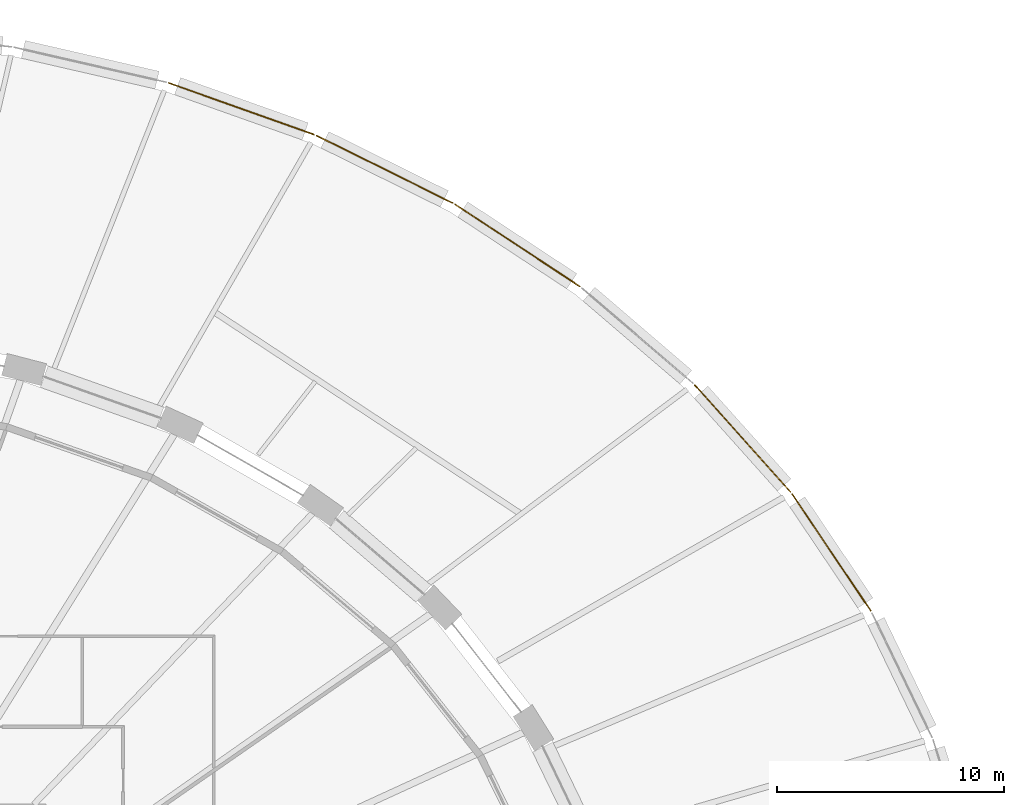
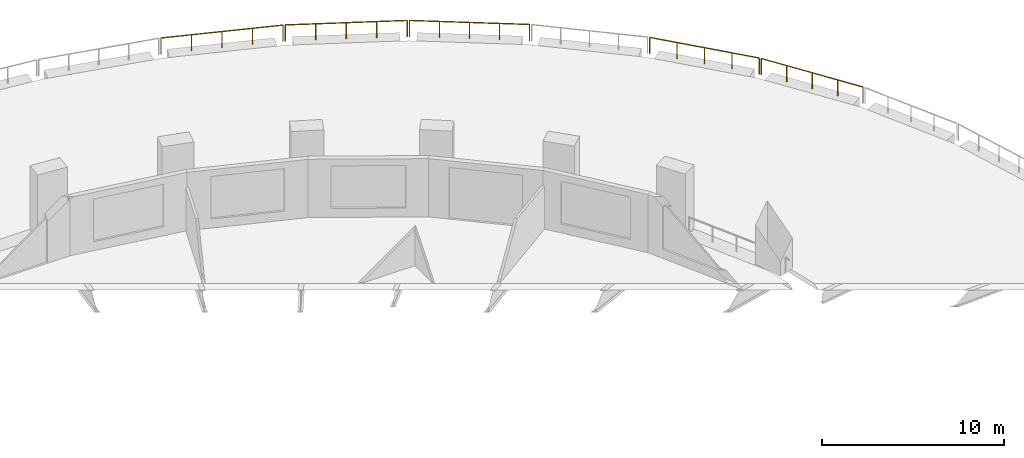
# One storey, part 15 of 16: 5 railings.
"""IFC4 building model written with IfcOpenShell, lengths in metres."""

from ifc_helpers import new_model, si_unit, direction, frame, origin, origin_2d, place, context, subcontext, project, spatial, circle, extrude, material, type_object, element, save


model = new_model("IFC4")

# Units and contexts
model_context = context("Model", 3, precision=1e-05, world=origin(), true_north=direction((0.0, 1.0)))
body_context = subcontext(model_context, "Body", "Model", "MODEL_VIEW")
ifc_project = project(units=[si_unit("LENGTHUNIT", "METRE"), si_unit("AREAUNIT", "SQUARE_METRE"), si_unit("VOLUMEUNIT", "CUBIC_METRE"), si_unit("PLANEANGLEUNIT", "RADIAN"), si_unit("MASSUNIT", "GRAM", prefix="KILO")], contexts=[model_context])

# Site, building, storey
site_placement = place(None, origin())
site = spatial("IfcSite", under=ifc_project, at=site_placement, CompositionType="ELEMENT")
building_placement = place(site_placement, origin())
building = spatial("IfcBuilding", under=site, at=building_placement, Name="Halqa Exchange Tower", CompositionType="ELEMENT")
storey_placement = place(building_placement, frame((0.0, 0.0, 23.5)))
storey = spatial("IfcBuildingStorey", under=building, at=storey_placement, Name="L04", CompositionType="ELEMENT", Elevation=23.5)

# Railings
ifc_material = material(Name="Stainless steel", Category="steel")
railing_type = type_object("IfcRailingType", Name="Guard 1100 stainless steel", PredefinedType="GUARDRAIL", material=ifc_material)
railing_1_placement = place(storey_placement, frame((48.397705078125, 20.52783203125, 0.0)))
element("IfcRailing", 1, at=railing_1_placement, inside=storey, type_object=railing_type, Name="Terrace guard 4", PredefinedType="GUARDRAIL", context=body_context, shape_type="SweptSolid", body=[
    extrude(circle(Radius=0.02392578125, at=origin_2d()), frame((0.0, 0.0, 1.076171875), z_axis=(-0.558563355694, 0.82946186029, 0.0), x_axis=(-0.82946186029, -0.558563355694, 0.0)), (0.0, 0.0, 1.0), 6.203125),
    extrude(circle(Radius=0.02099609375, at=origin_2d()), origin(), (0.0, 0.0, 1.0), 1.052001953125),
    extrude(circle(Radius=0.02099609375, at=origin_2d()), frame((-0.8662109375, 1.286376953125, 0.0)), (0.0, 0.0, 1.0), 1.052001953125),
    extrude(circle(Radius=0.02099609375, at=origin_2d()), frame((-1.732421875, 2.57275390625, 0.0)), (0.0, 0.0, 1.0), 1.052001953125),
    extrude(circle(Radius=0.02099609375, at=origin_2d()), frame((-2.5986328125, 3.85888671875, 0.0)), (0.0, 0.0, 1.0), 1.052001953125),
    extrude(circle(Radius=0.02099609375, at=origin_2d()), frame((-3.46484375, 5.145263671875, 0.0)), (0.0, 0.0, 1.0), 1.052001953125),
])
railing_2_placement = place(storey_placement, frame((44.859375, 25.767578125, 0.0)))
element("IfcRailing", 2, at=railing_2_placement, inside=storey, type_object=railing_type, Name="Terrace guard 5", PredefinedType="GUARDRAIL", context=body_context, shape_type="SweptSolid", body=[
    extrude(circle(Radius=0.02392578125, at=origin_2d()), frame((0.0, 0.0, 1.076171875), z_axis=(-0.666881693057, 0.745163611206, 0.0), x_axis=(-0.745163611206, -0.666881693057, 0.0)), (0.0, 0.0, 1.0), 6.327880859375),
    extrude(circle(Radius=0.02099609375, at=origin_2d()), origin(), (0.0, 0.0, 1.0), 1.052001953125),
    extrude(circle(Radius=0.02099609375, at=origin_2d()), frame((-1.054931640625, 1.1787109375, 0.0)), (0.0, 0.0, 1.0), 1.052001953125),
    extrude(circle(Radius=0.02099609375, at=origin_2d()), frame((-2.10986328125, 2.357666015625, 0.0)), (0.0, 0.0, 1.0), 1.052001953125),
    extrude(circle(Radius=0.02099609375, at=origin_2d()), frame((-3.1650390625, 3.53662109375, 0.0)), (0.0, 0.0, 1.0), 1.052001953125),
    extrude(circle(Radius=0.02099609375, at=origin_2d()), frame((-4.219970703125, 4.71533203125, 0.0)), (0.0, 0.0, 1.0), 1.052001953125),
])
railing_3_placement = place(storey_placement, frame((35.5546875, 34.84326171875, 0.0)))
element("IfcRailing", 3, at=railing_3_placement, inside=storey, type_object=railing_type, Name="Terrace guard 7", PredefinedType="GUARDRAIL", context=body_context, shape_type="SweptSolid", body=[
    extrude(circle(Radius=0.02392578125, at=origin_2d()), frame((0.0, 0.0, 1.076171875), z_axis=(-0.835415738884, 0.549618543379, 0.0), x_axis=(-0.549618543379, -0.835415738884, 0.0)), (0.0, 0.0, 1.0), 6.587890625),
    extrude(circle(Radius=0.02099609375, at=origin_2d()), origin(), (0.0, 0.0, 1.0), 1.052001953125),
    extrude(circle(Radius=0.02099609375, at=origin_2d()), frame((-1.3759765625, 0.9052734375, 0.0)), (0.0, 0.0, 1.0), 1.052001953125),
    extrude(circle(Radius=0.02099609375, at=origin_2d()), frame((-2.751953125, 1.810546875, 0.0)), (0.0, 0.0, 1.0), 1.052001953125),
    extrude(circle(Radius=0.02099609375, at=origin_2d()), frame((-4.127685546875, 2.715576171875, 0.0)), (0.0, 0.0, 1.0), 1.052001953125),
    extrude(circle(Radius=0.02099609375, at=origin_2d()), frame((-5.503662109375, 3.620849609375, 0.0)), (0.0, 0.0, 1.0), 1.052001953125),
])
railing_4_placement = place(storey_placement, frame((29.947021484375, 38.523681640625, 0.0)))
element("IfcRailing", 4, at=railing_4_placement, inside=storey, type_object=railing_type, Name="Terrace guard 8", PredefinedType="GUARDRAIL", context=body_context, shape_type="SweptSolid", body=[
    extrude(circle(Radius=0.02392578125, at=origin_2d()), frame((0.0, 0.0, 1.076171875), z_axis=(-0.896211273818, 0.443627493154, 0.0), x_axis=(-0.443627493154, -0.896211273818, 0.0)), (0.0, 0.0, 1.0), 6.705810546875),
    extrude(circle(Radius=0.02099609375, at=origin_2d()), origin(), (0.0, 0.0, 1.0), 1.052001953125),
    extrude(circle(Radius=0.02099609375, at=origin_2d()), frame((-1.50244140625, 0.74365234375, 0.0)), (0.0, 0.0, 1.0), 1.052001953125),
    extrude(circle(Radius=0.02099609375, at=origin_2d()), frame((-3.0048828125, 1.4873046875, 0.0)), (0.0, 0.0, 1.0), 1.052001953125),
    extrude(circle(Radius=0.02099609375, at=origin_2d()), frame((-4.50732421875, 2.231201171875, 0.0)), (0.0, 0.0, 1.0), 1.052001953125),
    extrude(circle(Radius=0.02099609375, at=origin_2d()), frame((-6.009765625, 2.974853515625, 0.0)), (0.0, 0.0, 1.0), 1.052001953125),
])
railing_5_placement = place(storey_placement, frame((23.8271484375, 41.545166015625, 0.0)))
element("IfcRailing", 5, at=railing_5_placement, inside=storey, type_object=railing_type, Name="Terrace guard 9", PredefinedType="GUARDRAIL", context=body_context, shape_type="SweptSolid", body=[
    extrude(circle(Radius=0.02392578125, at=origin_2d()), frame((0.0, 0.0, 1.076171875), z_axis=(-0.942332150503, 0.334679127119, 0.0), x_axis=(-0.334679127119, -0.942332150503, 0.0)), (0.0, 0.0, 1.0), 6.80517578125),
    extrude(circle(Radius=0.02099609375, at=origin_2d()), origin(), (0.0, 0.0, 1.0), 1.052001953125),
    extrude(circle(Radius=0.02099609375, at=origin_2d()), frame((-1.603271484375, 0.5693359375, 0.0)), (0.0, 0.0, 1.0), 1.052001953125),
    extrude(circle(Radius=0.02099609375, at=origin_2d()), frame((-3.20654296875, 1.138671875, 0.0)), (0.0, 0.0, 1.0), 1.052001953125),
    extrude(circle(Radius=0.02099609375, at=origin_2d()), frame((-4.8095703125, 1.708251953125, 0.0)), (0.0, 0.0, 1.0), 1.052001953125),
    extrude(circle(Radius=0.02099609375, at=origin_2d()), frame((-6.412841796875, 2.277587890625, 0.0)), (0.0, 0.0, 1.0), 1.052001953125),
])

save(model, "model.ifc")
